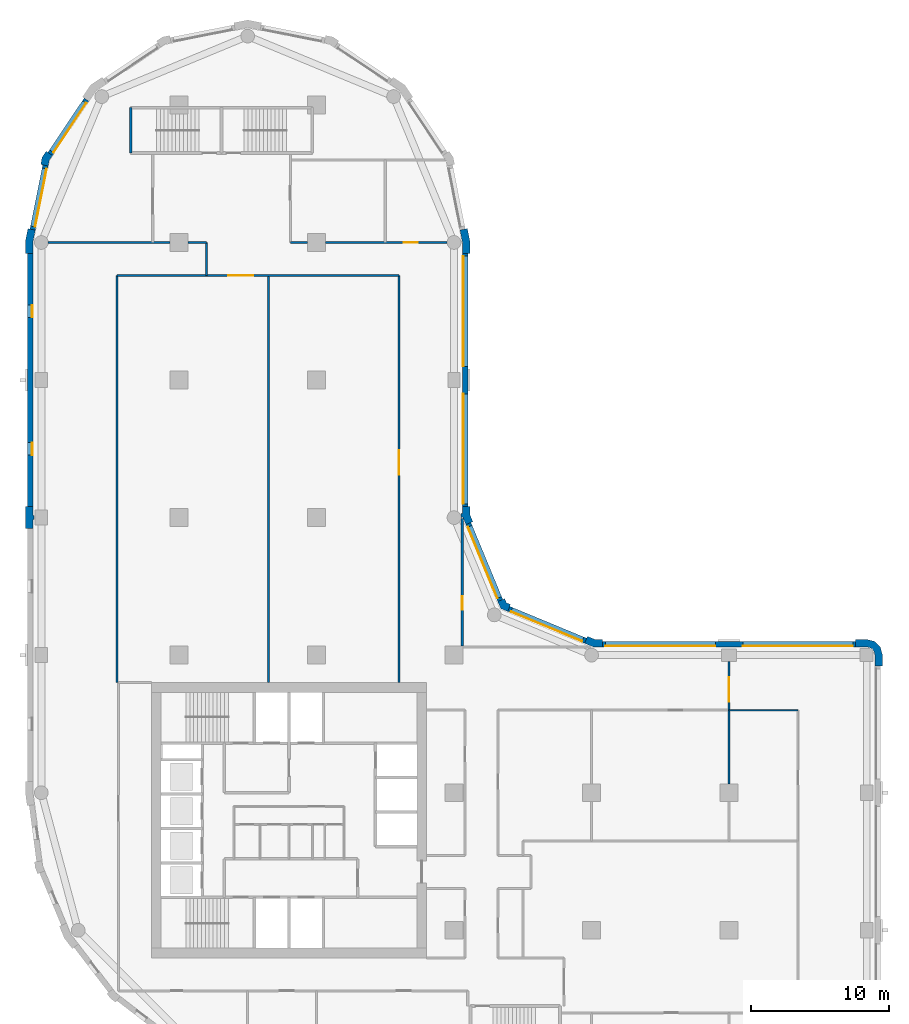
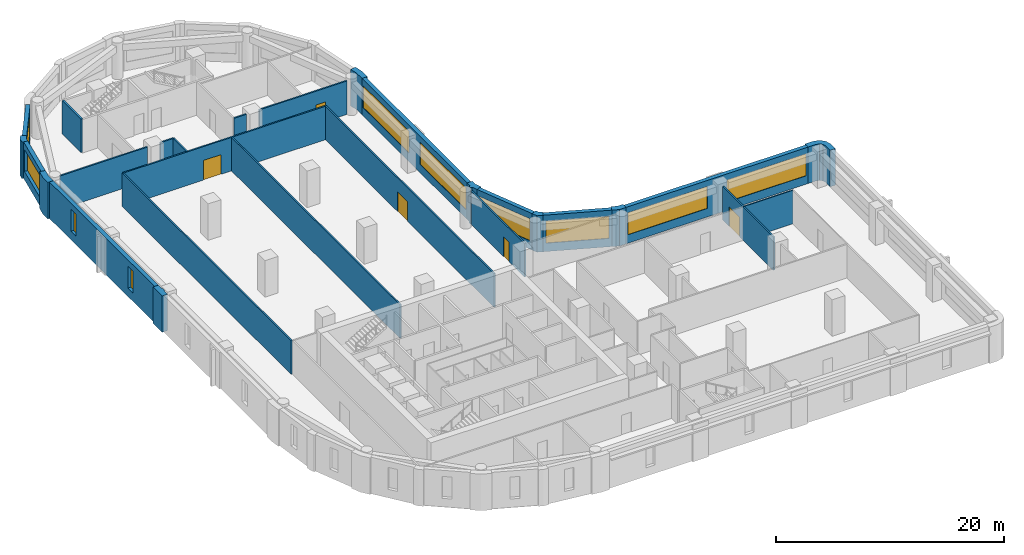
# One storey, part 5 of 9: 28 walls, 10 windows, 5 doors, 15 openings.
"""IFC4 building model written with IfcOpenShell, lengths in metres."""

import ifcopenshell
import ifcopenshell.guid

model = None  # the IFC model being written
_history = None  # IfcOwnerHistory: only IFC2X3 demands one
_inside = {}  # id of a spatial element -> (the spatial element, [elements in it])
_under = {}  # id of a project, library or spatial element -> (it, [spatial elements below it])
_declared = {}  # id of a project -> (the project, [libraries it declares])
_typed = {}  # id of a type object -> (the type object, [elements of that type])
_made_of = {}  # id of a material, layer set ... -> (it, [elements and type objects made of it])


def new_model(schema):
    """Start an empty IFC model of exactly this schema.

    Asked for "IFC4X3", IfcOpenShell would pick the latest addendum, in which some entities
    have other attributes; the version numbers below select the first issue.
    IFC2X3 requires an IfcOwnerHistory on every rooted entity: one is made here for all.
    """
    global model, _history
    if schema == "IFC4X3":
        model = ifcopenshell.file(schema_version=(4, 3, 0, 0))
    else:
        model = ifcopenshell.file(schema=schema)
    _inside.clear()
    _under.clear()
    _declared.clear()
    _typed.clear()
    _made_of.clear()
    _history = None
    if model.schema == "IFC2X3":
        org = make("IfcOrganization", Name="unknown")
        user = make(
            "IfcPersonAndOrganization",
            ThePerson=make("IfcPerson", FamilyName="unknown"),
            TheOrganization=org,
        )
        app = make(
            "IfcApplication",
            ApplicationDeveloper=org,
            Version="unknown",
            ApplicationFullName="unknown",
            ApplicationIdentifier="unknown",
        )
        _history = make(
            "IfcOwnerHistory",
            OwningUser=user,
            OwningApplication=app,
            ChangeAction="ADDED",
            CreationDate=0,
        )
    return model


def make(cls, **values):
    """One entity of the class cls with the attributes given. An attribute that is None is left unset."""
    return model.create_entity(
        cls, **{name: value for name, value in values.items() if value is not None}
    )


def rooted(cls, **values):
    """An entity with a GlobalId (a new one), such as an element, a storey or a relation."""
    return make(cls, GlobalId=ifcopenshell.guid.new(), OwnerHistory=_history, **values)


def si_unit(unit_type, name, prefix=None):
    """IfcSIUnit, for example si_unit("LENGTHUNIT", "METRE", prefix="MILLI")."""
    return make("IfcSIUnit", UnitType=unit_type, Prefix=prefix, Name=name)


def assignment(units):
    """IfcUnitAssignment: the units of a project."""
    return None if units is None else make("IfcUnitAssignment", Units=units)


def point(xyz):
    """IfcCartesianPoint."""
    return None if xyz is None else make("IfcCartesianPoint", Coordinates=xyz)


def direction(xyz):
    """IfcDirection."""
    return None if xyz is None else make("IfcDirection", DirectionRatios=xyz)


def frame(location, z_axis=None, x_axis=None):
    """IfcAxis2Placement3D, a coordinate frame: its origin and axes. An axis left out is left unset."""
    return make(
        "IfcAxis2Placement3D",
        Location=point(location),
        Axis=direction(z_axis),
        RefDirection=direction(x_axis),
    )


def frame_2d(location, x_axis=None):
    """IfcAxis2Placement2D, a coordinate frame in the plane: its origin and x axis."""
    return make(
        "IfcAxis2Placement2D", Location=point(location), RefDirection=direction(x_axis)
    )


def origin():
    """The frame at (0, 0, 0) with its axes left unset."""
    return frame((0.0, 0.0, 0.0))


def place(relative_to, where):
    """IfcLocalPlacement: puts the frame where relative to a parent placement (None: the world)."""
    return make(
        "IfcLocalPlacement", PlacementRelTo=relative_to, RelativePlacement=where
    )


def context(
    kind, dimensions, precision=None, world=None, true_north=None, identifier=None
):
    """IfcGeometricRepresentationContext, for example the 3D "Model" context."""
    return make(
        "IfcGeometricRepresentationContext",
        ContextIdentifier=identifier,
        ContextType=kind,
        CoordinateSpaceDimension=dimensions,
        Precision=precision,
        WorldCoordinateSystem=world,
        TrueNorth=true_north,
    )


def subcontext(parent, identifier, kind, view, scale=None):
    """IfcGeometricRepresentationSubContext, for example "Body" below "Model"."""
    return make(
        "IfcGeometricRepresentationSubContext",
        ContextIdentifier=identifier,
        ContextType=kind,
        ParentContext=parent,
        TargetScale=scale,
        TargetView=view,
    )


def project(units=None, contexts=None):
    """IfcProject with its units and contexts."""
    return rooted(
        "IfcProject",
        Name="project",
        RepresentationContexts=contexts,
        UnitsInContext=assignment(units),
    )


def spatial(cls, under=None, at=None, **own):
    """A site, building, storey or space (cls), placed at a placement, below another one or the project."""
    s = rooted(cls, ObjectPlacement=at, **own)
    if under is not None:
        _under.setdefault(under.id(), (under, []))[1].append(s)
    return s


def polyline(points):
    """IfcPolyline through the points."""
    return make("IfcPolyline", Points=[point(p) for p in points])


def profile(cls, at=None, kind="AREA", **sizes):
    """A parametric profile (cls). Its sizes go by their IFC names, for example OverallWidth=200.0."""
    return make(cls, ProfileType=kind, Position=at, **sizes)


def rectangle(**sizes):
    """IfcRectangleProfileDef."""
    return profile("IfcRectangleProfileDef", **sizes)


def outline(outer, holes=None, kind="AREA"):
    """IfcArbitraryClosedProfileDef: a profile drawn as a closed curve; with holes, ...WithVoids."""
    if holes is None:
        return make("IfcArbitraryClosedProfileDef", ProfileType=kind, OuterCurve=outer)
    return make(
        "IfcArbitraryProfileDefWithVoids",
        ProfileType=kind,
        OuterCurve=outer,
        InnerCurves=holes,
    )


def extrude(swept, where, along, depth):
    """IfcExtrudedAreaSolid: the profile swept, set in the frame where, extruded along a direction by depth."""
    return make(
        "IfcExtrudedAreaSolid",
        SweptArea=swept,
        Position=where,
        ExtrudedDirection=direction(along),
        Depth=depth,
    )


def shape(context_of_items, identifier, shape_type, items):
    """IfcShapeRepresentation: the items that make up one representation, for example the "Body"."""
    return make(
        "IfcShapeRepresentation",
        ContextOfItems=context_of_items,
        RepresentationIdentifier=identifier,
        RepresentationType=shape_type,
        Items=items,
    )


def material(Name=None, Category=None):
    """IfcMaterial."""
    return make("IfcMaterial", Name=Name, Category=Category)


def layer(
    of_material, thickness, ventilated=None, Name=None, Category=None, Priority=None
):
    """IfcMaterialLayer: one layer of a wall or slab, of a material (None: an air gap)."""
    return make(
        "IfcMaterialLayer",
        Material=of_material,
        LayerThickness=thickness,
        IsVentilated=ventilated,
        Name=Name,
        Category=Category,
        Priority=Priority,
    )


def layer_set(layers, Name=None):
    """IfcMaterialLayerSet."""
    return make("IfcMaterialLayerSet", MaterialLayers=layers, LayerSetName=Name)


def made_of(thing, what):
    """Note that an element or type object is made of a material, layer set ...; save() writes the relation."""
    if what is not None:
        _made_of.setdefault(what.id(), (what, []))[1].append(thing)
    return thing


def type_object(cls, material=None, **own):
    """A type object (cls), such as IfcWallType, which elements share."""
    return made_of(rooted(cls, **own), material)


def element(
    cls,
    number,
    at=None,
    inside=None,
    cuts=None,
    type_object=None,
    material=None,
    context=None,
    identifier="Body",
    shape_type=None,
    held_by="IfcProductDefinitionShape",
    body=None,
    shapes=None,
    **own,
):
    """One element of the class cls, such as IfcWall. Its Tag is "e" and its number.

    at: its placement. inside: the storey or other place that contains it. cuts: it is an
    opening in that element (IfcRelVoidsElement). A single representation is given by context,
    identifier, shape_type and body (its items); several are given by shapes. held_by: the class
    of the entity that holds the representations. save() writes the other relations.
    """
    e = rooted(cls, Tag="e%d" % number, ObjectPlacement=at, **own)
    if body is not None:
        shapes = [shape(context, identifier, shape_type, body)]
    if shapes is not None:
        e.Representation = make(held_by, Representations=shapes)
    if inside is not None:
        _inside.setdefault(inside.id(), (inside, []))[1].append(e)
    if cuts is not None:
        rooted(
            "IfcRelVoidsElement", RelatingBuildingElement=cuts, RelatedOpeningElement=e
        )
    if type_object is not None:
        _typed.setdefault(type_object.id(), (type_object, []))[1].append(e)
    return made_of(e, material)


def fill(opening, filler):
    """IfcRelFillsElement: the door or window that sits in an opening."""
    return rooted(
        "IfcRelFillsElement",
        RelatingOpeningElement=opening,
        RelatedBuildingElement=filler,
    )


def aggregate(whole, parts):
    """IfcRelAggregates: a whole, such as a stair, and the parts it consists of."""
    return rooted("IfcRelAggregates", RelatingObject=whole, RelatedObjects=parts)


def save(model, path):
    """Write the relations noted so far, then the file.

    IfcRelAggregates (storeys below a building ...), IfcRelContainedInSpatialStructure (elements
    in a storey), IfcRelDefinesByType, IfcRelAssociatesMaterial and IfcRelDeclares: one each for
    every whole, place, type object, material and project.
    """
    for whole, parts in _under.values():
        aggregate(whole, parts)
    for where, things in _inside.values():
        rooted(
            "IfcRelContainedInSpatialStructure",
            RelatedElements=things,
            RelatingStructure=where,
        )
    for kind, things in _typed.values():
        rooted("IfcRelDefinesByType", RelatedObjects=things, RelatingType=kind)
    for what, things in _made_of.values():
        rooted("IfcRelAssociatesMaterial", RelatedObjects=things, RelatingMaterial=what)
    for by, libraries in _declared.values():
        rooted("IfcRelDeclares", RelatingContext=by, RelatedDefinitions=libraries)
    model.write(path)


model = new_model("IFC4")

# Units and contexts
model_context = context("Model", 3, precision=1e-05, world=origin(), true_north=direction((0.0, 1.0)))
body_context = subcontext(model_context, "Body", "Model", "MODEL_VIEW")
ifc_project = project(units=[si_unit("LENGTHUNIT", "METRE"), si_unit("AREAUNIT", "SQUARE_METRE"), si_unit("VOLUMEUNIT", "CUBIC_METRE"), si_unit("PLANEANGLEUNIT", "RADIAN"), si_unit("MASSUNIT", "GRAM", prefix="KILO")], contexts=[model_context])

# Site, building, storey
site_placement = place(None, origin())
site = spatial("IfcSite", under=ifc_project, at=site_placement, CompositionType="ELEMENT")
building_placement = place(site_placement, origin())
building = spatial("IfcBuilding", under=site, at=building_placement, Name="Qaws Garden Tower", CompositionType="ELEMENT")
storey_placement = place(building_placement, frame((0.0, 0.0, 143.39990234375)))
storey = spatial("IfcBuildingStorey", under=building, at=storey_placement, Name="L34", CompositionType="ELEMENT", Elevation=143.39990234375)

# Wall
ifc_material_1 = material(Name="Clay facing brick masonry", Category="masonry")
ifc_layer_1 = layer(ifc_material_1, 0.550048828125)
ifc_layer_set_1 = layer_set([ifc_layer_1], Name="Clay facing brick masonry")
wall_type_1 = type_object("IfcWallType", Name="Brick corner pier 550 x 2400", PredefinedType="SOLIDWALL", material=ifc_layer_set_1)
placement = place(storey_placement, origin())
element("IfcWall", 1, at=placement, inside=storey, type_object=wall_type_1, Name="E-L34-pier-07", PredefinedType="SOLIDWALL", context=body_context, shape_type="SweptSolid", body=[
    extrude(outline(polyline([(61.0, 29.199951171875), (61.14990234375, 29.199951171875), (61.14990234375, 30.0), (60.995849609375, 30.574951171875), (60.574951171875, 30.995849609375), (60.0, 31.14990234375), (59.199951171875, 31.14990234375), (59.199951171875, 31.0), (59.199951171875, 30.60009765625), (60.0, 30.60009765625), (60.300048828125, 30.51953125), (60.51953125, 30.300048828125), (60.60009765625, 30.0), (60.60009765625, 29.199951171875), (61.0, 29.199951171875)])), origin(), (0.0, 0.0, 1.0), 3.900146484375),
])

# Wall, openings, windows
ifc_material_2 = material(Name="Clay facing brick masonry", Category="masonry")
ifc_layer_2 = layer(ifc_material_2, 0.39990234375)
ifc_layer_set_2 = layer_set([ifc_layer_2], Name="Clay facing brick masonry")
wall_type_2 = type_object("IfcWallType", Name="Brick infill wall 400", PredefinedType="SOLIDWALL", material=ifc_layer_set_2)
wall_2_placement = place(storey_placement, frame((59.199951171875, 30.800048828125, 0.0), z_axis=(0.0, 0.0, 1.0), x_axis=(-1.0, 0.0, 0.0)))
wall_2 = element("IfcWall", 2, at=wall_2_placement, inside=storey, type_object=wall_type_2, Name="E-L34-infill-07", PredefinedType="SOLIDWALL", context=body_context, shape_type="SweptSolid", body=[
    extrude(rectangle(XDim=18.39990234375, YDim=0.39990234375, at=frame_2d((9.199951171875, 0.0))), origin(), (0.0, 0.0, 1.0), 3.900146484375),
])
opening_1_placement = place(wall_2_placement, frame((0.199951171875, 0.0, 0.89990234375)))
opening_1 = element("IfcOpeningElement", 3, at=opening_1_placement, cuts=wall_2, Name="Opening W01", PredefinedType="OPENING", context=body_context, shape_type="SweptSolid", body=[
    extrude(rectangle(XDim=8.0, YDim=2.35009765625, at=frame_2d((4.0, 1.175048828125))), frame((0.0, 0.2099609375, 0.0), z_axis=(0.0, -1.0, 0.0), x_axis=(1.0, 0.0, 0.0)), (0.0, 0.0, 1.0), 0.419921875),
])
opening_2_placement = place(wall_2_placement, frame((10.199951171875, 0.0, 0.89990234375)))
opening_2 = element("IfcOpeningElement", 4, at=opening_2_placement, cuts=wall_2, Name="Opening W01", PredefinedType="OPENING", context=body_context, shape_type="SweptSolid", body=[
    extrude(rectangle(XDim=8.0, YDim=2.35009765625, at=frame_2d((4.0, 1.175048828125))), frame((0.0, 0.2099609375, 0.0), z_axis=(0.0, -1.0, 0.0), x_axis=(1.0, 0.0, 0.0)), (0.0, 0.0, 1.0), 0.419921875),
])
ifc_material_3 = material(Name="Aluminium framed window, clear glazing", Category="aluminium")
window_type_1 = type_object("IfcWindowType", Name="Ribbon window 8000 x 2350", PartitioningType="DOUBLE_PANEL_VERTICAL", PredefinedType="WINDOW", material=ifc_material_3)
window_1_placement = place(opening_1_placement, origin())
window_1 = element("IfcWindow", 5, at=window_1_placement, inside=storey, type_object=window_type_1, Name="E-L34-window-07-0", OverallHeight=2.35009765625, OverallWidth=8.0, PartitioningType="SINGLE_PANEL", PredefinedType="WINDOW", context=body_context, shape_type="SweptSolid", body=[
    extrude(rectangle(XDim=8.0, YDim=2.35009765625, at=frame_2d((4.0, 1.175048828125))), frame((0.0, 0.159912109375, 0.0), z_axis=(0.0, -1.0, 0.0), x_axis=(1.0, 0.0, 0.0)), (0.0, 0.0, 1.0), 0.06005859375),
])
fill(opening_1, window_1)
window_2_placement = place(opening_2_placement, origin())
window_2 = element("IfcWindow", 6, at=window_2_placement, inside=storey, type_object=window_type_1, Name="E-L34-window-08-0", OverallHeight=2.35009765625, OverallWidth=8.0, PartitioningType="SINGLE_PANEL", PredefinedType="WINDOW", context=body_context, shape_type="SweptSolid", body=[
    extrude(rectangle(XDim=8.0, YDim=2.35009765625, at=frame_2d((4.0, 1.175048828125))), frame((0.0, 0.159912109375, 0.0), z_axis=(0.0, -1.0, 0.0), x_axis=(1.0, 0.0, 0.0)), (0.0, 0.0, 1.0), 0.06005859375),
])
fill(opening_2, window_2)

# Wall, opening, window
wall_3_placement = place(storey_placement, frame((39.56689453125, 31.04541015625, 0.0), z_axis=(0.0, 0.0, 1.0), x_axis=(-0.923891000409, 0.382655745237, 0.0)))
wall_3 = element("IfcWall", 7, at=wall_3_placement, inside=storey, type_object=wall_type_2, Name="E-L34-infill-09", PredefinedType="SOLIDWALL", context=body_context, shape_type="SweptSolid", body=[
    extrude(rectangle(XDim=6.053466796875, YDim=0.39990234375, at=frame_2d((3.02685546875, 0.0))), origin(), (0.0, 0.0, 1.0), 3.900146484375),
])
opening_3_placement = place(wall_3_placement, frame((0.226806640625, 0.0, 0.89990234375)))
opening_3 = element("IfcOpeningElement", 8, at=opening_3_placement, cuts=wall_3, Name="Opening W04", PredefinedType="OPENING", context=body_context, shape_type="SweptSolid", body=[
    extrude(rectangle(XDim=5.60009765625, YDim=2.35009765625, at=frame_2d((2.800048828125, 1.175048828125))), frame((0.0, 0.2099609375, 0.0), z_axis=(0.0, -1.0, 0.0), x_axis=(1.0, 0.0, 0.0)), (0.0, 0.0, 1.0), 0.419921875),
])
ifc_material_4 = material(Name="Aluminium framed window, clear glazing", Category="aluminium")
window_type_2 = type_object("IfcWindowType", Name="Ribbon window 5600 x 2350", PartitioningType="DOUBLE_PANEL_VERTICAL", PredefinedType="WINDOW", material=ifc_material_4)
window_3_placement = place(opening_3_placement, origin())
window_3 = element("IfcWindow", 9, at=window_3_placement, inside=storey, type_object=window_type_2, Name="E-L34-window-09-0", OverallHeight=2.35009765625, OverallWidth=5.60009765625, PartitioningType="SINGLE_PANEL", PredefinedType="WINDOW", context=body_context, shape_type="SweptSolid", body=[
    extrude(rectangle(XDim=5.60009765625, YDim=2.35009765625, at=frame_2d((2.800048828125, 1.175048828125))), frame((0.0, 0.159912109375, 0.0), z_axis=(0.0, -1.0, 0.0), x_axis=(1.0, 0.0, 0.0)), (0.0, 0.0, 1.0), 0.06005859375),
])
fill(opening_3, window_3)

wall_4_placement = place(storey_placement, frame((33.36181640625, 33.97412109375, 0.0), z_axis=(0.0, 0.0, 1.0), x_axis=(-0.382655745237, 0.923891000409, 0.0)))
wall_4 = element("IfcWall", 10, at=wall_4_placement, inside=storey, type_object=wall_type_2, Name="E-L34-infill-10", PredefinedType="SOLIDWALL", context=body_context, shape_type="SweptSolid", body=[
    extrude(rectangle(XDim=6.053466796875, YDim=0.39990234375, at=frame_2d((3.02685546875, 0.0))), origin(), (0.0, 0.0, 1.0), 3.900146484375),
])
opening_4_placement = place(wall_4_placement, frame((0.226806640625, 0.0, 0.89990234375)))
opening_4 = element("IfcOpeningElement", 11, at=opening_4_placement, cuts=wall_4, Name="Opening W04", PredefinedType="OPENING", context=body_context, shape_type="SweptSolid", body=[
    extrude(rectangle(XDim=5.60009765625, YDim=2.35009765625, at=frame_2d((2.800048828125, 1.175048828125))), frame((0.0, 0.2099609375, 0.0), z_axis=(0.0, -1.0, 0.0), x_axis=(1.0, 0.0, 0.0)), (0.0, 0.0, 1.0), 0.419921875),
])
window_4_placement = place(opening_4_placement, origin())
window_4 = element("IfcWindow", 12, at=window_4_placement, inside=storey, type_object=window_type_2, Name="E-L34-window-10-0", OverallHeight=2.35009765625, OverallWidth=5.60009765625, PartitioningType="SINGLE_PANEL", PredefinedType="WINDOW", context=body_context, shape_type="SweptSolid", body=[
    extrude(rectangle(XDim=5.60009765625, YDim=2.35009765625, at=frame_2d((2.800048828125, 1.175048828125))), frame((0.0, 0.159912109375, 0.0), z_axis=(0.0, -1.0, 0.0), x_axis=(1.0, 0.0, 0.0)), (0.0, 0.0, 1.0), 0.06005859375),
])
fill(opening_4, window_4)

# Wall, openings, windows
wall_5_placement = place(storey_placement, frame((30.800048828125, 40.800048828125, 0.0), z_axis=(0.0, 0.0, 1.0), x_axis=(0.0, 1.0, 0.0)))
wall_5 = element("IfcWall", 13, at=wall_5_placement, inside=storey, type_object=wall_type_2, Name="E-L34-infill-11", PredefinedType="SOLIDWALL", context=body_context, shape_type="SweptSolid", body=[
    extrude(rectangle(XDim=18.39990234375, YDim=0.39990234375, at=frame_2d((9.199951171875, 0.0))), origin(), (0.0, 0.0, 1.0), 3.900146484375),
])
opening_5_placement = place(wall_5_placement, frame((0.199951171875, 0.0, 0.89990234375)))
opening_5 = element("IfcOpeningElement", 14, at=opening_5_placement, cuts=wall_5, Name="Opening W01", PredefinedType="OPENING", context=body_context, shape_type="SweptSolid", body=[
    extrude(rectangle(XDim=8.0, YDim=2.35009765625, at=frame_2d((4.0, 1.175048828125))), frame((0.0, 0.2099609375, 0.0), z_axis=(0.0, -1.0, 0.0), x_axis=(1.0, 0.0, 0.0)), (0.0, 0.0, 1.0), 0.419921875),
])
opening_6_placement = place(wall_5_placement, frame((10.199951171875, 0.0, 0.89990234375)))
opening_6 = element("IfcOpeningElement", 15, at=opening_6_placement, cuts=wall_5, Name="Opening W01", PredefinedType="OPENING", context=body_context, shape_type="SweptSolid", body=[
    extrude(rectangle(XDim=8.0, YDim=2.35009765625, at=frame_2d((4.0, 1.175048828125))), frame((0.0, 0.2099609375, 0.0), z_axis=(0.0, -1.0, 0.0), x_axis=(1.0, 0.0, 0.0)), (0.0, 0.0, 1.0), 0.419921875),
])
window_5_placement = place(opening_5_placement, origin())
window_5 = element("IfcWindow", 16, at=window_5_placement, inside=storey, type_object=window_type_1, Name="E-L34-window-11-0", OverallHeight=2.35009765625, OverallWidth=8.0, PartitioningType="SINGLE_PANEL", PredefinedType="WINDOW", context=body_context, shape_type="SweptSolid", body=[
    extrude(rectangle(XDim=8.0, YDim=2.35009765625, at=frame_2d((4.0, 1.175048828125))), frame((0.0, 0.159912109375, 0.0), z_axis=(0.0, -1.0, 0.0), x_axis=(1.0, 0.0, 0.0)), (0.0, 0.0, 1.0), 0.06005859375),
])
fill(opening_5, window_5)
window_6_placement = place(opening_6_placement, origin())
window_6 = element("IfcWindow", 17, at=window_6_placement, inside=storey, type_object=window_type_1, Name="E-L34-window-12-0", OverallHeight=2.35009765625, OverallWidth=8.0, PartitioningType="SINGLE_PANEL", PredefinedType="WINDOW", context=body_context, shape_type="SweptSolid", body=[
    extrude(rectangle(XDim=8.0, YDim=2.35009765625, at=frame_2d((4.0, 1.175048828125))), frame((0.0, 0.159912109375, 0.0), z_axis=(0.0, -1.0, 0.0), x_axis=(1.0, 0.0, 0.0)), (0.0, 0.0, 1.0), 0.06005859375),
])
fill(opening_6, window_6)

# Wall, opening, window
wall_6_placement = place(storey_placement, frame((3.28369140625, 70.385986328125, 0.0), z_axis=(0.0, 0.0, 1.0), x_axis=(-0.555541552266, -0.831488775454, 0.0)))
wall_6 = element("IfcWall", 18, at=wall_6_placement, inside=storey, type_object=wall_type_2, Name="E-L34-infill-19", PredefinedType="SOLIDWALL", context=body_context, shape_type="SweptSolid", body=[
    extrude(rectangle(XDim=4.752685546875, YDim=0.39990234375, at=frame_2d((2.37646484375, 0.0))), origin(), (0.0, 0.0, 1.0), 3.900146484375),
])
opening_7_placement = place(wall_6_placement, frame((0.226318359375, 0.0, 0.89990234375)))
opening_7 = element("IfcOpeningElement", 19, at=opening_7_placement, cuts=wall_6, Name="Opening W06", PredefinedType="OPENING", context=body_context, shape_type="SweptSolid", body=[
    extrude(rectangle(XDim=4.300048828125, YDim=2.35009765625, at=frame_2d((2.14990234375, 1.175048828125))), frame((0.0, 0.2099609375, 0.0), z_axis=(0.0, -1.0, 0.0), x_axis=(1.0, 0.0, 0.0)), (0.0, 0.0, 1.0), 0.419921875),
])
ifc_material_5 = material(Name="Aluminium framed window, clear glazing", Category="aluminium")
window_type_3 = type_object("IfcWindowType", Name="Ribbon window 4300 x 2350", PartitioningType="DOUBLE_PANEL_VERTICAL", PredefinedType="WINDOW", material=ifc_material_5)
window_7_placement = place(opening_7_placement, origin())
window_7 = element("IfcWindow", 20, at=window_7_placement, inside=storey, type_object=window_type_3, Name="E-L34-window-19-0", OverallHeight=2.35009765625, OverallWidth=4.300048828125, PartitioningType="SINGLE_PANEL", PredefinedType="WINDOW", context=body_context, shape_type="SweptSolid", body=[
    extrude(rectangle(XDim=4.300048828125, YDim=2.35009765625, at=frame_2d((2.14990234375, 1.175048828125))), frame((0.0, 0.159912109375, 0.0), z_axis=(0.0, -1.0, 0.0), x_axis=(1.0, 0.0, 0.0)), (0.0, 0.0, 1.0), 0.06005859375),
])
fill(opening_7, window_7)

wall_7_placement = place(storey_placement, frame((0.298583984375, 65.60205078125, 0.0), z_axis=(0.0, 0.0, 1.0), x_axis=(-0.195098533057, -0.98078364709, 0.0)))
wall_7 = element("IfcWall", 21, at=wall_7_placement, inside=storey, type_object=wall_type_2, Name="E-L34-infill-20", PredefinedType="SOLIDWALL", context=body_context, shape_type="SweptSolid", body=[
    extrude(rectangle(XDim=4.752685546875, YDim=0.39990234375, at=frame_2d((2.37646484375, 0.0))), origin(), (0.0, 0.0, 1.0), 3.900146484375),
])
opening_8_placement = place(wall_7_placement, frame((0.226318359375, 0.0, 0.89990234375)))
opening_8 = element("IfcOpeningElement", 22, at=opening_8_placement, cuts=wall_7, Name="Opening W06", PredefinedType="OPENING", context=body_context, shape_type="SweptSolid", body=[
    extrude(rectangle(XDim=4.300048828125, YDim=2.35009765625, at=frame_2d((2.14990234375, 1.175048828125))), frame((0.0, 0.2099609375, 0.0), z_axis=(0.0, -1.0, 0.0), x_axis=(1.0, 0.0, 0.0)), (0.0, 0.0, 1.0), 0.419921875),
])
window_8_placement = place(opening_8_placement, origin())
window_8 = element("IfcWindow", 23, at=window_8_placement, inside=storey, type_object=window_type_3, Name="E-L34-window-20-0", OverallHeight=2.35009765625, OverallWidth=4.300048828125, PartitioningType="SINGLE_PANEL", PredefinedType="WINDOW", context=body_context, shape_type="SweptSolid", body=[
    extrude(rectangle(XDim=4.300048828125, YDim=2.35009765625, at=frame_2d((2.14990234375, 1.175048828125))), frame((0.0, 0.159912109375, 0.0), z_axis=(0.0, -1.0, 0.0), x_axis=(1.0, 0.0, 0.0)), (0.0, 0.0, 1.0), 0.06005859375),
])
fill(opening_8, window_8)

# Wall, openings, windows
wall_8_placement = place(storey_placement, frame((-0.800048828125, 59.199951171875, 0.0), z_axis=(0.0, 0.0, 1.0), x_axis=(0.0, -1.0, 0.0)))
wall_8 = element("IfcWall", 24, at=wall_8_placement, inside=storey, type_object=wall_type_2, Name="E-L34-infill-21", PredefinedType="SOLIDWALL", context=body_context, shape_type="SweptSolid", body=[
    extrude(rectangle(XDim=18.39990234375, YDim=0.39990234375, at=frame_2d((9.199951171875, 0.0))), origin(), (0.0, 0.0, 1.0), 3.900146484375),
])
opening_9_placement = place(wall_8_placement, frame((3.75, 0.0, 0.89990234375)))
opening_9 = element("IfcOpeningElement", 25, at=opening_9_placement, cuts=wall_8, Name="Opening W09", PredefinedType="OPENING", context=body_context, shape_type="SweptSolid", body=[
    extrude(rectangle(XDim=0.89990234375, YDim=2.35009765625, at=frame_2d((0.449951171875, 1.175048828125))), frame((0.0, 0.2099609375, 0.0), z_axis=(0.0, -1.0, 0.0), x_axis=(1.0, 0.0, 0.0)), (0.0, 0.0, 1.0), 0.419921875),
])
opening_10_placement = place(wall_8_placement, frame((13.75, 0.0, 0.89990234375)))
opening_10 = element("IfcOpeningElement", 26, at=opening_10_placement, cuts=wall_8, Name="Opening W09", PredefinedType="OPENING", context=body_context, shape_type="SweptSolid", body=[
    extrude(rectangle(XDim=0.89990234375, YDim=2.35009765625, at=frame_2d((0.449951171875, 1.175048828125))), frame((0.0, 0.2099609375, 0.0), z_axis=(0.0, -1.0, 0.0), x_axis=(1.0, 0.0, 0.0)), (0.0, 0.0, 1.0), 0.419921875),
])
ifc_material_6 = material(Name="Aluminium framed window, clear glazing", Category="aluminium")
window_type_4 = type_object("IfcWindowType", Name="Slit window 900 x 2350", PartitioningType="SINGLE_PANEL", PredefinedType="WINDOW", material=ifc_material_6)
window_9_placement = place(opening_9_placement, origin())
window_9 = element("IfcWindow", 27, at=window_9_placement, inside=storey, type_object=window_type_4, Name="E-L34-window-21-0", OverallHeight=2.35009765625, OverallWidth=0.89990234375, PartitioningType="SINGLE_PANEL", PredefinedType="WINDOW", context=body_context, shape_type="SweptSolid", body=[
    extrude(rectangle(XDim=0.89990234375, YDim=2.35009765625, at=frame_2d((0.449951171875, 1.175048828125))), frame((0.0, 0.159912109375, 0.0), z_axis=(0.0, -1.0, 0.0), x_axis=(1.0, 0.0, 0.0)), (0.0, 0.0, 1.0), 0.06005859375),
])
fill(opening_9, window_9)
window_10_placement = place(opening_10_placement, origin())
window_10 = element("IfcWindow", 28, at=window_10_placement, inside=storey, type_object=window_type_4, Name="E-L34-window-22-0", OverallHeight=2.35009765625, OverallWidth=0.89990234375, PartitioningType="SINGLE_PANEL", PredefinedType="WINDOW", context=body_context, shape_type="SweptSolid", body=[
    extrude(rectangle(XDim=0.89990234375, YDim=2.35009765625, at=frame_2d((0.449951171875, 1.175048828125))), frame((0.0, 0.159912109375, 0.0), z_axis=(0.0, -1.0, 0.0), x_axis=(1.0, 0.0, 0.0)), (0.0, 0.0, 1.0), 0.06005859375),
])
fill(opening_10, window_10)

# Walls
ifc_material_7 = material(Name="Clay facing brick masonry", Category="masonry")
ifc_layer_3 = layer(ifc_material_7, 0.550048828125)
ifc_layer_set_3 = layer_set([ifc_layer_3], Name="Clay facing brick masonry")
wall_type_3 = type_object("IfcWallType", Name="Brick kink pier 550 x 600", PredefinedType="SOLIDWALL", material=ifc_layer_set_3)
element("IfcWall", 29, at=placement, inside=storey, type_object=wall_type_3, Name="E-L34-pier-20", PredefinedType="SOLIDWALL", context=body_context, shape_type="SweptSolid", body=[
    extrude(outline(polyline([(0.47705078125, 66.545166015625), (0.352294921875, 66.628662109375), (0.05859375, 66.18896484375), (-0.044677734375, 65.67041015625), (0.1025390625, 65.64111328125), (0.494873046875, 65.56298828125), (0.57666015625, 65.974365234375), (0.8095703125, 66.322998046875), (0.47705078125, 66.545166015625)])), origin(), (0.0, 0.0, 1.0), 3.900146484375),
])
ifc_material_8 = material(Name="Clay facing brick masonry", Category="masonry")
ifc_layer_4 = layer(ifc_material_8, 0.550048828125)
ifc_layer_set_4 = layer_set([ifc_layer_4], Name="Clay facing brick masonry")
wall_type_4 = type_object("IfcWallType", Name="Brick pier 550 x 1600", PredefinedType="SOLIDWALL", material=ifc_layer_set_4)
element("IfcWall", 30, at=placement, inside=storey, type_object=wall_type_4, Name="E-L34-pier-09", PredefinedType="SOLIDWALL", context=body_context, shape_type="SweptSolid", body=[
    extrude(outline(polyline([(40.800048828125, 31.0), (40.800048828125, 31.14990234375), (40.228759765625, 31.14990234375), (39.700927734375, 31.36865234375), (39.6435546875, 31.22998046875), (39.490478515625, 30.860595703125), (40.119384765625, 30.60009765625), (40.800048828125, 30.60009765625), (40.800048828125, 31.0)])), origin(), (0.0, 0.0, 1.0), 3.900146484375),
])
element("IfcWall", 31, at=placement, inside=storey, type_object=wall_type_4, Name="E-L34-pier-10", PredefinedType="SOLIDWALL", context=body_context, shape_type="SweptSolid", body=[
    extrude(outline(polyline([(34.05078125, 33.546630859375), (34.108154296875, 33.685302734375), (33.80908203125, 33.80908203125), (33.685302734375, 34.108154296875), (33.546630859375, 34.05078125), (33.177001953125, 33.897705078125), (33.38818359375, 33.38818359375), (33.897705078125, 33.177001953125), (34.05078125, 33.546630859375)])), origin(), (0.0, 0.0, 1.0), 3.900146484375),
])
element("IfcWall", 32, at=placement, inside=storey, type_object=wall_type_4, Name="E-L34-pier-11", PredefinedType="SOLIDWALL", context=body_context, shape_type="SweptSolid", body=[
    extrude(outline(polyline([(30.6201171875, 39.995361328125), (30.6201171875, 40.071044921875), (30.860595703125, 39.490478515625), (31.22998046875, 39.6435546875), (31.36865234375, 39.700927734375), (31.14990234375, 40.228759765625), (31.14990234375, 40.800048828125), (31.0, 40.800048828125), (30.60009765625, 40.800048828125), (30.60009765625, 40.29541015625), (30.5, 40.29541015625), (30.5, 39.995361328125), (30.6201171875, 39.995361328125)])), origin(), (0.0, 0.0, 1.0), 3.900146484375),
])
element("IfcWall", 33, at=placement, inside=storey, type_object=wall_type_4, Name="E-L34-pier-13", PredefinedType="SOLIDWALL", context=body_context, shape_type="SweptSolid", body=[
    extrude(outline(polyline([(31.0, 59.199951171875), (31.14990234375, 59.199951171875), (31.14990234375, 60.11328125), (30.971923828125, 61.009033203125), (30.82470703125, 60.979736328125), (30.432373046875, 60.901611328125), (30.60009765625, 60.05908203125), (30.60009765625, 59.199951171875), (31.0, 59.199951171875)])), origin(), (0.0, 0.0, 1.0), 3.900146484375),
])
element("IfcWall", 34, at=placement, inside=storey, type_object=wall_type_4, Name="E-L34-pier-21", PredefinedType="SOLIDWALL", context=body_context, shape_type="SweptSolid", body=[
    extrude(outline(polyline([(-0.82470703125, 60.979736328125), (-0.971923828125, 61.009033203125), (-1.14990234375, 60.11328125), (-1.14990234375, 59.199951171875), (-1.0, 59.199951171875), (-0.60009765625, 59.199951171875), (-0.60009765625, 60.05908203125), (-0.432373046875, 60.901611328125), (-0.82470703125, 60.979736328125)])), origin(), (0.0, 0.0, 1.0), 3.900146484375),
])
element("IfcWall", 35, at=placement, inside=storey, type_object=wall_type_4, Name="E-L34-pier-23", PredefinedType="SOLIDWALL", context=body_context, shape_type="SweptSolid", body=[
    extrude(outline(polyline([(-0.60009765625, 39.199951171875), (-0.60009765625, 39.85009765625), (-0.550048828125, 39.85009765625), (-0.550048828125, 40.14990234375), (-0.60009765625, 40.14990234375), (-0.60009765625, 40.800048828125), (-1.0, 40.800048828125), (-1.14990234375, 40.800048828125), (-1.14990234375, 40.0), (-1.14990234375, 39.199951171875), (-1.0, 39.199951171875), (-0.60009765625, 39.199951171875)])), origin(), (0.0, 0.0, 1.0), 3.900146484375),
])
ifc_material_9 = material(Name="Concrete C70", Category="concrete")
ifc_layer_5 = layer(ifc_material_9, 0.199951171875)
ifc_layer_set_5 = layer_set([ifc_layer_5], Name="Concrete C70")
wall_type_5 = type_object("IfcWallType", Name="Core shaft wall 200 C70", PredefinedType="SHEAR", material=ifc_layer_set_5)
wall_16_placement = place(storey_placement, frame((6.5, 66.5, 0.0), z_axis=(0.0, 0.0, 1.0), x_axis=(0.0, 1.0, 0.0)))
element("IfcWall", 36, at=wall_16_placement, inside=storey, type_object=wall_type_5, Name="Shaft wall", PredefinedType="SHEAR", context=body_context, shape_type="SweptSolid", body=[
    extrude(rectangle(XDim=3.300048828125, YDim=0.199951171875, at=frame_2d((1.64990234375, 0.0))), origin(), (0.0, 0.0, 1.0), 3.580078125),
])
ifc_material_10 = material(Name="Gypsum board partition")
ifc_layer_6 = layer(ifc_material_10, 0.10009765625)
ifc_layer_set_6 = layer_set([ifc_layer_6], Name="Gypsum board partition")
wall_type_6 = type_object("IfcWallType", Name="PARTITION 100", PredefinedType="PARTITIONING", material=ifc_layer_set_6)
wall_17_placement = place(storey_placement, frame((50.0, 26.0, 0.0), z_axis=(0.0, 0.0, 1.0), x_axis=(1.0, 0.0, 0.0)))
element("IfcWall", 37, at=wall_17_placement, inside=storey, type_object=wall_type_6, Name="O-L34-wall-003", PredefinedType="PARTITIONING", context=body_context, shape_type="SweptSolid", body=[
    extrude(rectangle(XDim=5.0, YDim=0.10009765625, at=frame_2d((2.5, 0.0))), origin(), (0.0, 0.0, 1.0), 3.580078125),
])
ifc_material_11 = material(Name="Gypsum board partition")
ifc_layer_7 = layer(ifc_material_11, 0.14990234375)
ifc_layer_set_7 = layer_set([ifc_layer_7], Name="Gypsum board partition")
wall_type_7 = type_object("IfcWallType", Name="PARTITION 150 EI 60", PredefinedType="PARTITIONING", material=ifc_layer_set_7)
wall_18_placement = place(storey_placement, frame((5.5, 28.0, 0.0), z_axis=(0.0, 0.0, 1.0), x_axis=(0.0, 1.0, 0.0)))
element("IfcWall", 38, at=wall_18_placement, inside=storey, type_object=wall_type_7, Name="O-L34-wall-004", PredefinedType="PARTITIONING", context=body_context, shape_type="SweptSolid", body=[
    extrude(rectangle(XDim=29.60009765625, YDim=0.14990234375, at=frame_2d((14.800048828125, 0.0))), origin(), (0.0, 0.0, 1.0), 3.580078125),
])
wall_19_placement = place(storey_placement, frame((12.0, 57.60009765625, 0.0), z_axis=(0.0, 0.0, 1.0), x_axis=(0.0, 1.0, 0.0)))
element("IfcWall", 39, at=wall_19_placement, inside=storey, type_object=wall_type_7, Name="O-L34-wall-007", PredefinedType="PARTITIONING", context=body_context, shape_type="SweptSolid", body=[
    extrude(rectangle(XDim=2.39990234375, YDim=0.14990234375, at=frame_2d((1.199951171875, 0.0))), origin(), (0.0, 0.0, 1.0), 3.580078125),
])
wall_20_placement = place(storey_placement, frame((16.5, 28.0, 0.0), z_axis=(0.0, 0.0, 1.0), x_axis=(0.0, 1.0, 0.0)))
element("IfcWall", 40, at=wall_20_placement, inside=storey, type_object=wall_type_7, Name="O-L34-wall-009", PredefinedType="PARTITIONING", context=body_context, shape_type="SweptSolid", body=[
    extrude(rectangle(XDim=29.60009765625, YDim=0.14990234375, at=frame_2d((14.800048828125, 0.0))), origin(), (0.0, 0.0, 1.0), 3.580078125),
])

# Wall, opening, door
wall_21_placement = place(storey_placement, frame((26.0, 28.0, 0.0), z_axis=(0.0, 0.0, 1.0), x_axis=(0.0, 1.0, 0.0)))
wall_21 = element("IfcWall", 41, at=wall_21_placement, inside=storey, type_object=wall_type_7, Name="O-L34-wall-013", PredefinedType="PARTITIONING", context=body_context, shape_type="SweptSolid", body=[
    extrude(rectangle(XDim=29.60009765625, YDim=0.14990234375, at=frame_2d((14.800048828125, 0.0))), origin(), (0.0, 0.0, 1.0), 3.580078125),
])
opening_11_placement = place(wall_21_placement, frame((15.10009765625, 0.0, 0.0)))
opening_11 = element("IfcOpeningElement", 42, at=opening_11_placement, cuts=wall_21, Name="Opening B204", PredefinedType="OPENING", context=body_context, shape_type="SweptSolid", body=[
    extrude(rectangle(XDim=1.800048828125, YDim=2.10009765625, at=frame_2d((0.89990234375, 1.050048828125))), frame((0.0, 0.0849609375, 0.0), z_axis=(0.0, -1.0, 0.0), x_axis=(1.0, 0.0, 0.0)), (0.0, 0.0, 1.0), 0.169921875),
])
ifc_material_12 = material(Name="Timber door leaf", Category="wood")
door_type_1 = type_object("IfcDoorType", Name="DOUBLE DOOR 1800 X 2100", OperationType="DOUBLE_DOOR_SINGLE_SWING", PredefinedType="DOOR", material=ifc_material_12)
door_1_placement = place(opening_11_placement, origin())
door_1 = element("IfcDoor", 43, at=door_1_placement, inside=storey, type_object=door_type_1, Name="O-L34-door-004", OperationType="DOUBLE_DOOR_SINGLE_SWING", OverallHeight=2.10009765625, OverallWidth=1.800048828125, PredefinedType="DOOR", context=body_context, shape_type="SweptSolid", body=[
    extrude(rectangle(XDim=1.800048828125, YDim=2.10009765625, at=frame_2d((0.89990234375, 1.050048828125))), frame((0.0, 0.02490234375, 0.0), z_axis=(0.0, -1.0, 0.0), x_axis=(1.0, 0.0, 0.0)), (0.0, 0.0, 1.0), 0.050048828125),
])
fill(opening_11, door_1)

wall_22_placement = place(storey_placement, frame((30.60009765625, 30.64990234375, 0.0), z_axis=(0.0, 0.0, 1.0), x_axis=(0.0, 1.0, 0.0)))
wall_22 = element("IfcWall", 44, at=wall_22_placement, inside=storey, type_object=wall_type_7, Name="O-L34-wall-014", PredefinedType="PARTITIONING", context=body_context, shape_type="SweptSolid", body=[
    extrude(rectangle(XDim=9.288330078125, YDim=0.14990234375, at=frame_2d((4.64404296875, 0.0))), origin(), (0.0, 0.0, 1.0), 3.580078125),
])
opening_12_placement = place(wall_22_placement, frame((2.64990234375, 0.0, 0.0)))
opening_12 = element("IfcOpeningElement", 45, at=opening_12_placement, cuts=wall_22, Name="Opening B210", PredefinedType="OPENING", context=body_context, shape_type="SweptSolid", body=[
    extrude(rectangle(XDim=1.0, YDim=2.10009765625, at=frame_2d((0.5, 1.050048828125))), frame((0.0, 0.0849609375, 0.0), z_axis=(0.0, -1.0, 0.0), x_axis=(1.0, 0.0, 0.0)), (0.0, 0.0, 1.0), 0.169921875),
])
ifc_material_13 = material(Name="Timber door leaf", Category="wood")
door_type_2 = type_object("IfcDoorType", Name="TENANCY ENTRANCE DOOR 1000 X 2100", OperationType="SINGLE_SWING_LEFT", PredefinedType="DOOR", material=ifc_material_13)
door_2_placement = place(opening_12_placement, frame((1.0, 0.0, 0.0), z_axis=(0.0, 0.0, 1.0), x_axis=(-1.0, 0.0, 0.0)))
door_2 = element("IfcDoor", 46, at=door_2_placement, inside=storey, type_object=door_type_2, Name="O-L34-door-010", OperationType="SINGLE_SWING_LEFT", OverallHeight=2.10009765625, OverallWidth=1.0, PredefinedType="DOOR", context=body_context, shape_type="SweptSolid", body=[
    extrude(rectangle(XDim=1.0, YDim=2.10009765625, at=frame_2d((0.5, 1.050048828125))), frame((0.0, 0.02490234375, 0.0), z_axis=(0.0, -1.0, 0.0), x_axis=(1.0, 0.0, 0.0)), (0.0, 0.0, 1.0), 0.050048828125),
])
fill(opening_12, door_2)

wall_23_placement = place(storey_placement, frame((50.0, 20.64990234375, 0.0), z_axis=(0.0, 0.0, 1.0), x_axis=(0.0, 1.0, 0.0)))
wall_23 = element("IfcWall", 47, at=wall_23_placement, inside=storey, type_object=wall_type_7, Name="O-L34-wall-029", PredefinedType="PARTITIONING", context=body_context, shape_type="SweptSolid", body=[
    extrude(rectangle(XDim=8.900146484375, YDim=0.14990234375, at=frame_2d((4.4501953125, 0.0))), origin(), (0.0, 0.0, 1.0), 3.580078125),
])
opening_13_placement = place(wall_23_placement, frame((5.949951171875, 0.0, 0.0)))
opening_13 = element("IfcOpeningElement", 48, at=opening_13_placement, cuts=wall_23, Name="Opening B203", PredefinedType="OPENING", context=body_context, shape_type="SweptSolid", body=[
    extrude(rectangle(XDim=1.800048828125, YDim=2.10009765625, at=frame_2d((0.89990234375, 1.050048828125))), frame((0.0, 0.0849609375, 0.0), z_axis=(0.0, -1.0, 0.0), x_axis=(1.0, 0.0, 0.0)), (0.0, 0.0, 1.0), 0.169921875),
])
door_3_placement = place(opening_13_placement, frame((1.800048828125, 0.0, 0.0), z_axis=(0.0, 0.0, 1.0), x_axis=(-1.0, 0.0, 0.0)))
door_3 = element("IfcDoor", 49, at=door_3_placement, inside=storey, type_object=door_type_1, Name="O-L34-door-003", OperationType="DOUBLE_DOOR_SINGLE_SWING", OverallHeight=2.10009765625, OverallWidth=1.800048828125, PredefinedType="DOOR", context=body_context, shape_type="SweptSolid", body=[
    extrude(rectangle(XDim=1.800048828125, YDim=2.10009765625, at=frame_2d((0.89990234375, 1.050048828125))), frame((0.0, 0.02490234375, 0.0), z_axis=(0.0, -1.0, 0.0), x_axis=(1.0, 0.0, 0.0)), (0.0, 0.0, 1.0), 0.050048828125),
])
fill(opening_13, door_3)

wall_24_placement = place(storey_placement, frame((5.5, 57.60009765625, 0.0), z_axis=(0.0, 0.0, 1.0), x_axis=(1.0, 0.0, 0.0)))
wall_24 = element("IfcWall", 50, at=wall_24_placement, inside=storey, type_object=wall_type_7, Name="O-L34-wall-045", PredefinedType="PARTITIONING", context=body_context, shape_type="SweptSolid", body=[
    extrude(rectangle(XDim=20.5, YDim=0.14990234375, at=frame_2d((10.25, 0.0))), origin(), (0.0, 0.0, 1.0), 3.580078125),
])
opening_14_placement = place(wall_24_placement, frame((8.10009765625, 0.0, 0.0)))
opening_14 = element("IfcOpeningElement", 51, at=opening_14_placement, cuts=wall_24, Name="Opening B205", PredefinedType="OPENING", context=body_context, shape_type="SweptSolid", body=[
    extrude(rectangle(XDim=1.800048828125, YDim=2.10009765625, at=frame_2d((0.89990234375, 1.050048828125))), frame((0.0, 0.0849609375, 0.0), z_axis=(0.0, -1.0, 0.0), x_axis=(1.0, 0.0, 0.0)), (0.0, 0.0, 1.0), 0.169921875),
])
door_4_placement = place(opening_14_placement, frame((1.800048828125, 0.0, 0.0), z_axis=(0.0, 0.0, 1.0), x_axis=(-1.0, 0.0, 0.0)))
door_4 = element("IfcDoor", 52, at=door_4_placement, inside=storey, type_object=door_type_1, Name="O-L34-door-005", OperationType="DOUBLE_DOOR_SINGLE_SWING", OverallHeight=2.10009765625, OverallWidth=1.800048828125, PredefinedType="DOOR", context=body_context, shape_type="SweptSolid", body=[
    extrude(rectangle(XDim=1.800048828125, YDim=2.10009765625, at=frame_2d((0.89990234375, 1.050048828125))), frame((0.0, 0.02490234375, 0.0), z_axis=(0.0, -1.0, 0.0), x_axis=(1.0, 0.0, 0.0)), (0.0, 0.0, 1.0), 0.050048828125),
])
fill(opening_14, door_4)

# Walls
wall_25_placement = place(storey_placement, frame((0.5, 60.0, 0.0), z_axis=(0.0, 0.0, 1.0), x_axis=(1.0, 0.0, 0.0)))
element("IfcWall", 53, at=wall_25_placement, inside=storey, type_object=wall_type_7, Name="O-L34-wall-046", PredefinedType="PARTITIONING", context=body_context, shape_type="SweptSolid", body=[
    extrude(rectangle(XDim=8.85009765625, YDim=0.14990234375, at=frame_2d((4.425048828125, 0.0))), origin(), (0.0, 0.0, 1.0), 3.580078125),
])
wall_26_placement = place(storey_placement, frame((10.64990234375, 60.0, 0.0), z_axis=(0.0, 0.0, 1.0), x_axis=(1.0, 0.0, 0.0)))
element("IfcWall", 54, at=wall_26_placement, inside=storey, type_object=wall_type_7, Name="O-L34-wall-047", PredefinedType="PARTITIONING", context=body_context, shape_type="SweptSolid", body=[
    extrude(rectangle(XDim=1.35009765625, YDim=0.14990234375, at=frame_2d((0.675048828125, 0.0))), origin(), (0.0, 0.0, 1.0), 3.580078125),
])
wall_27_placement = place(storey_placement, frame((18.10009765625, 60.0, 0.0), z_axis=(0.0, 0.0, 1.0), x_axis=(1.0, 0.0, 0.0)))
element("IfcWall", 55, at=wall_27_placement, inside=storey, type_object=wall_type_7, Name="O-L34-wall-048", PredefinedType="PARTITIONING", context=body_context, shape_type="SweptSolid", body=[
    extrude(rectangle(XDim=1.25, YDim=0.14990234375, at=frame_2d((0.625, 0.0))), origin(), (0.0, 0.0, 1.0), 3.580078125),
])

# Wall, opening, door
wall_28_placement = place(storey_placement, frame((20.64990234375, 60.0, 0.0), z_axis=(0.0, 0.0, 1.0), x_axis=(1.0, 0.0, 0.0)))
wall_28 = element("IfcWall", 56, at=wall_28_placement, inside=storey, type_object=wall_type_7, Name="O-L34-wall-049", PredefinedType="PARTITIONING", context=body_context, shape_type="SweptSolid", body=[
    extrude(rectangle(XDim=8.85009765625, YDim=0.14990234375, at=frame_2d((4.425048828125, 0.0))), origin(), (0.0, 0.0, 1.0), 3.580078125),
])
opening_15_placement = place(wall_28_placement, frame((5.699951171875, 0.0, 0.0)))
opening_15 = element("IfcOpeningElement", 57, at=opening_15_placement, cuts=wall_28, Name="Opening B209", PredefinedType="OPENING", context=body_context, shape_type="SweptSolid", body=[
    extrude(rectangle(XDim=1.0, YDim=2.10009765625, at=frame_2d((0.5, 1.050048828125))), frame((0.0, 0.0849609375, 0.0), z_axis=(0.0, -1.0, 0.0), x_axis=(1.0, 0.0, 0.0)), (0.0, 0.0, 1.0), 0.169921875),
])
door_5_placement = place(opening_15_placement, origin())
door_5 = element("IfcDoor", 58, at=door_5_placement, inside=storey, type_object=door_type_2, Name="O-L34-door-009", OperationType="SINGLE_SWING_LEFT", OverallHeight=2.10009765625, OverallWidth=1.0, PredefinedType="DOOR", context=body_context, shape_type="SweptSolid", body=[
    extrude(rectangle(XDim=1.0, YDim=2.10009765625, at=frame_2d((0.5, 1.050048828125))), frame((0.0, 0.02490234375, 0.0), z_axis=(0.0, -1.0, 0.0), x_axis=(1.0, 0.0, 0.0)), (0.0, 0.0, 1.0), 0.050048828125),
])
fill(opening_15, door_5)

save(model, "model.ifc")
